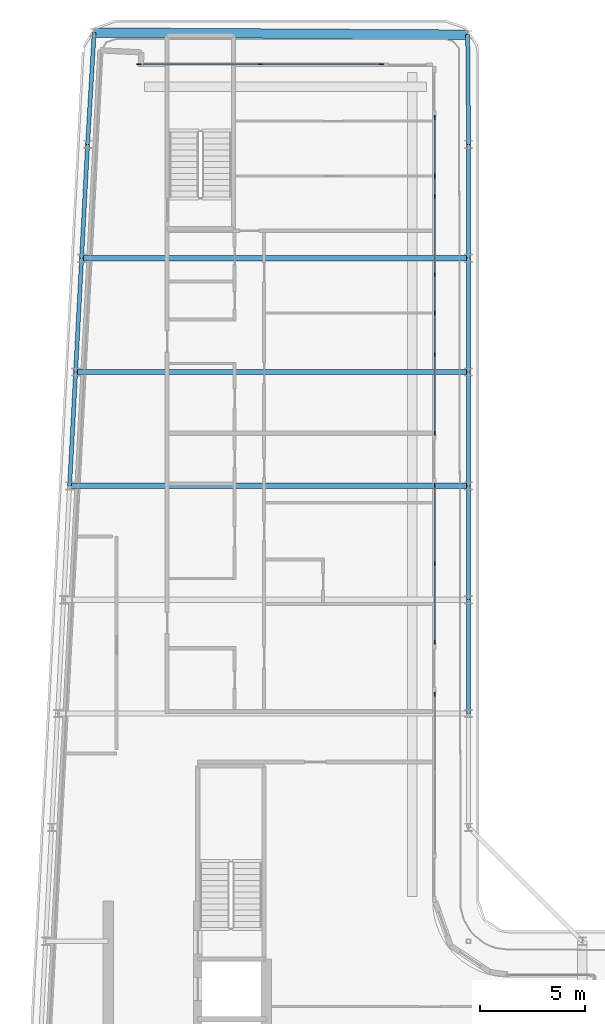
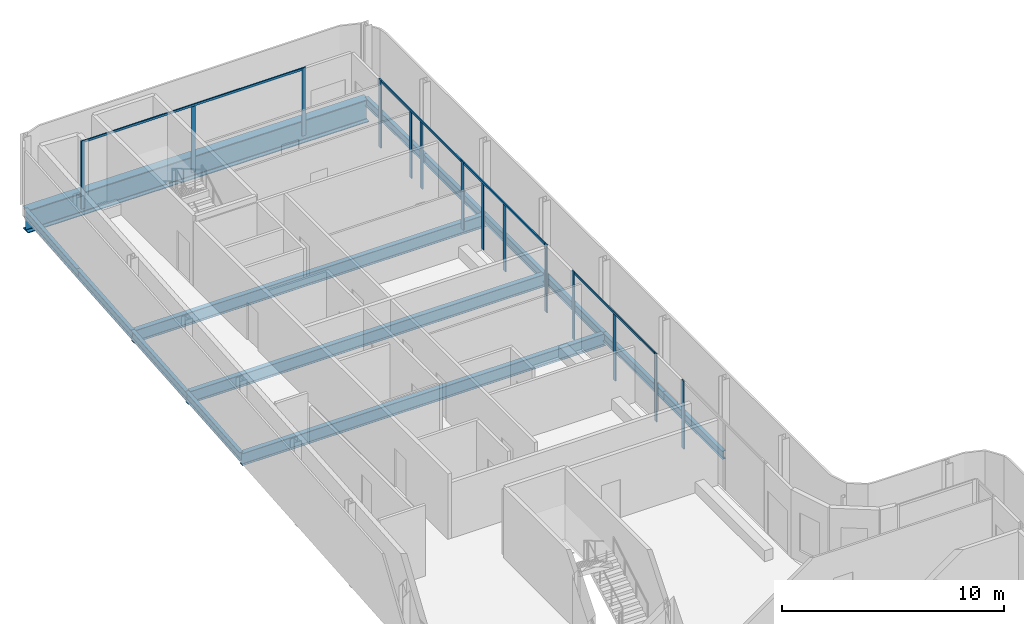
# One storey, part 6 of 17: 18 members, 14 beams, 5 elements without a shape of their own.
"""IFC4 building model written with IfcOpenShell, lengths in metres."""

import ifcopenshell
import ifcopenshell.guid

model = None  # the IFC model being written
_history = None  # IfcOwnerHistory: only IFC2X3 demands one
_inside = {}  # id of a spatial element -> (the spatial element, [elements in it])
_under = {}  # id of a project, library or spatial element -> (it, [spatial elements below it])
_declared = {}  # id of a project -> (the project, [libraries it declares])
_typed = {}  # id of a type object -> (the type object, [elements of that type])
_made_of = {}  # id of a material, layer set ... -> (it, [elements and type objects made of it])


def new_model(schema):
    """Start an empty IFC model of exactly this schema.

    Asked for "IFC4X3", IfcOpenShell would pick the latest addendum, in which some entities
    have other attributes; the version numbers below select the first issue.
    IFC2X3 requires an IfcOwnerHistory on every rooted entity: one is made here for all.
    """
    global model, _history
    if schema == "IFC4X3":
        model = ifcopenshell.file(schema_version=(4, 3, 0, 0))
    else:
        model = ifcopenshell.file(schema=schema)
    _inside.clear()
    _under.clear()
    _declared.clear()
    _typed.clear()
    _made_of.clear()
    _history = None
    if model.schema == "IFC2X3":
        org = make("IfcOrganization", Name="unknown")
        user = make(
            "IfcPersonAndOrganization",
            ThePerson=make("IfcPerson", FamilyName="unknown"),
            TheOrganization=org,
        )
        app = make(
            "IfcApplication",
            ApplicationDeveloper=org,
            Version="unknown",
            ApplicationFullName="unknown",
            ApplicationIdentifier="unknown",
        )
        _history = make(
            "IfcOwnerHistory",
            OwningUser=user,
            OwningApplication=app,
            ChangeAction="ADDED",
            CreationDate=0,
        )
    return model


def make(cls, **values):
    """One entity of the class cls with the attributes given. An attribute that is None is left unset."""
    return model.create_entity(
        cls, **{name: value for name, value in values.items() if value is not None}
    )


def rooted(cls, **values):
    """An entity with a GlobalId (a new one), such as an element, a storey or a relation."""
    return make(cls, GlobalId=ifcopenshell.guid.new(), OwnerHistory=_history, **values)


def si_unit(unit_type, name, prefix=None):
    """IfcSIUnit, for example si_unit("LENGTHUNIT", "METRE", prefix="MILLI")."""
    return make("IfcSIUnit", UnitType=unit_type, Prefix=prefix, Name=name)


def assignment(units):
    """IfcUnitAssignment: the units of a project."""
    return None if units is None else make("IfcUnitAssignment", Units=units)


def point(xyz):
    """IfcCartesianPoint."""
    return None if xyz is None else make("IfcCartesianPoint", Coordinates=xyz)


def direction(xyz):
    """IfcDirection."""
    return None if xyz is None else make("IfcDirection", DirectionRatios=xyz)


def frame(location, z_axis=None, x_axis=None):
    """IfcAxis2Placement3D, a coordinate frame: its origin and axes. An axis left out is left unset."""
    return make(
        "IfcAxis2Placement3D",
        Location=point(location),
        Axis=direction(z_axis),
        RefDirection=direction(x_axis),
    )


def frame_2d(location, x_axis=None):
    """IfcAxis2Placement2D, a coordinate frame in the plane: its origin and x axis."""
    return make(
        "IfcAxis2Placement2D", Location=point(location), RefDirection=direction(x_axis)
    )


def origin():
    """The frame at (0, 0, 0) with its axes left unset."""
    return frame((0.0, 0.0, 0.0))


def origin_2d():
    """The frame at (0, 0) in the plane with its x axis left unset."""
    return frame_2d((0.0, 0.0))


def place(relative_to, where):
    """IfcLocalPlacement: puts the frame where relative to a parent placement (None: the world)."""
    return make(
        "IfcLocalPlacement", PlacementRelTo=relative_to, RelativePlacement=where
    )


def context(
    kind, dimensions, precision=None, world=None, true_north=None, identifier=None
):
    """IfcGeometricRepresentationContext, for example the 3D "Model" context."""
    return make(
        "IfcGeometricRepresentationContext",
        ContextIdentifier=identifier,
        ContextType=kind,
        CoordinateSpaceDimension=dimensions,
        Precision=precision,
        WorldCoordinateSystem=world,
        TrueNorth=true_north,
    )


def subcontext(parent, identifier, kind, view, scale=None):
    """IfcGeometricRepresentationSubContext, for example "Body" below "Model"."""
    return make(
        "IfcGeometricRepresentationSubContext",
        ContextIdentifier=identifier,
        ContextType=kind,
        ParentContext=parent,
        TargetScale=scale,
        TargetView=view,
    )


def project(units=None, contexts=None):
    """IfcProject with its units and contexts."""
    return rooted(
        "IfcProject",
        Name="project",
        RepresentationContexts=contexts,
        UnitsInContext=assignment(units),
    )


def spatial(cls, under=None, at=None, **own):
    """A site, building, storey or space (cls), placed at a placement, below another one or the project."""
    s = rooted(cls, ObjectPlacement=at, **own)
    if under is not None:
        _under.setdefault(under.id(), (under, []))[1].append(s)
    return s


def profile(cls, at=None, kind="AREA", **sizes):
    """A parametric profile (cls). Its sizes go by their IFC names, for example OverallWidth=200.0."""
    return make(cls, ProfileType=kind, Position=at, **sizes)


def rectangle(**sizes):
    """IfcRectangleProfileDef."""
    return profile("IfcRectangleProfileDef", **sizes)


def i_section(**sizes):
    """IfcIShapeProfileDef."""
    return profile("IfcIShapeProfileDef", **sizes)


def extrude(swept, where, along, depth):
    """IfcExtrudedAreaSolid: the profile swept, set in the frame where, extruded along a direction by depth."""
    return make(
        "IfcExtrudedAreaSolid",
        SweptArea=swept,
        Position=where,
        ExtrudedDirection=direction(along),
        Depth=depth,
    )


def shape(context_of_items, identifier, shape_type, items):
    """IfcShapeRepresentation: the items that make up one representation, for example the "Body"."""
    return make(
        "IfcShapeRepresentation",
        ContextOfItems=context_of_items,
        RepresentationIdentifier=identifier,
        RepresentationType=shape_type,
        Items=items,
    )


def material(Name=None, Category=None):
    """IfcMaterial."""
    return make("IfcMaterial", Name=Name, Category=Category)


def layer(
    of_material, thickness, ventilated=None, Name=None, Category=None, Priority=None
):
    """IfcMaterialLayer: one layer of a wall or slab, of a material (None: an air gap)."""
    return make(
        "IfcMaterialLayer",
        Material=of_material,
        LayerThickness=thickness,
        IsVentilated=ventilated,
        Name=Name,
        Category=Category,
        Priority=Priority,
    )


def layer_set(layers, Name=None):
    """IfcMaterialLayerSet."""
    return make("IfcMaterialLayerSet", MaterialLayers=layers, LayerSetName=Name)


def material_profile(
    of_material, cross_section, Name=None, Category=None, Priority=None
):
    """IfcMaterialProfile: a cross section and its material."""
    return make(
        "IfcMaterialProfile",
        Name=Name,
        Material=of_material,
        Profile=cross_section,
        Priority=Priority,
        Category=Category,
    )


def profile_set(profiles, Name=None, composite=None):
    """IfcMaterialProfileSet."""
    return make(
        "IfcMaterialProfileSet",
        Name=Name,
        MaterialProfiles=profiles,
        CompositeProfile=composite,
    )


def made_of(thing, what):
    """Note that an element or type object is made of a material, layer set ...; save() writes the relation."""
    if what is not None:
        _made_of.setdefault(what.id(), (what, []))[1].append(thing)
    return thing


def type_object(cls, material=None, **own):
    """A type object (cls), such as IfcWallType, which elements share."""
    return made_of(rooted(cls, **own), material)


def element(
    cls,
    number,
    at=None,
    inside=None,
    cuts=None,
    type_object=None,
    material=None,
    context=None,
    identifier="Body",
    shape_type=None,
    held_by="IfcProductDefinitionShape",
    body=None,
    shapes=None,
    **own,
):
    """One element of the class cls, such as IfcWall. Its Tag is "e" and its number.

    at: its placement. inside: the storey or other place that contains it. cuts: it is an
    opening in that element (IfcRelVoidsElement). A single representation is given by context,
    identifier, shape_type and body (its items); several are given by shapes. held_by: the class
    of the entity that holds the representations. save() writes the other relations.
    """
    e = rooted(cls, Tag="e%d" % number, ObjectPlacement=at, **own)
    if body is not None:
        shapes = [shape(context, identifier, shape_type, body)]
    if shapes is not None:
        e.Representation = make(held_by, Representations=shapes)
    if inside is not None:
        _inside.setdefault(inside.id(), (inside, []))[1].append(e)
    if cuts is not None:
        rooted(
            "IfcRelVoidsElement", RelatingBuildingElement=cuts, RelatedOpeningElement=e
        )
    if type_object is not None:
        _typed.setdefault(type_object.id(), (type_object, []))[1].append(e)
    return made_of(e, material)


def aggregate(whole, parts):
    """IfcRelAggregates: a whole, such as a stair, and the parts it consists of."""
    return rooted("IfcRelAggregates", RelatingObject=whole, RelatedObjects=parts)


def save(model, path):
    """Write the relations noted so far, then the file.

    IfcRelAggregates (storeys below a building ...), IfcRelContainedInSpatialStructure (elements
    in a storey), IfcRelDefinesByType, IfcRelAssociatesMaterial and IfcRelDeclares: one each for
    every whole, place, type object, material and project.
    """
    for whole, parts in _under.values():
        aggregate(whole, parts)
    for where, things in _inside.values():
        rooted(
            "IfcRelContainedInSpatialStructure",
            RelatedElements=things,
            RelatingStructure=where,
        )
    for kind, things in _typed.values():
        rooted("IfcRelDefinesByType", RelatedObjects=things, RelatingType=kind)
    for what, things in _made_of.values():
        rooted("IfcRelAssociatesMaterial", RelatedObjects=things, RelatingMaterial=what)
    for by, libraries in _declared.values():
        rooted("IfcRelDeclares", RelatingContext=by, RelatedDefinitions=libraries)
    model.write(path)


model = new_model("IFC4")

# Units and contexts
model_context = context("Model", 3, precision=1e-05, world=origin(), true_north=direction((0.0, 1.0)))
body_context = subcontext(model_context, "Body", "Model", "MODEL_VIEW")
ifc_project = project(units=[si_unit("LENGTHUNIT", "METRE"), si_unit("AREAUNIT", "SQUARE_METRE"), si_unit("VOLUMEUNIT", "CUBIC_METRE"), si_unit("PLANEANGLEUNIT", "RADIAN"), si_unit("MASSUNIT", "GRAM", prefix="KILO")], contexts=[model_context])

# Site, building, storey
site_placement = place(None, origin())
site = spatial("IfcSite", under=ifc_project, at=site_placement, CompositionType="ELEMENT")
building_placement = place(site_placement, origin())
building = spatial("IfcBuilding", under=site, at=building_placement, Name="Kheshtan School and Residences Tower", CompositionType="ELEMENT")
storey_placement = place(building_placement, frame((0.0, 0.0, 342.199951171875)))
storey = spatial("IfcBuildingStorey", under=building, at=storey_placement, Name="L80", CompositionType="ELEMENT", Elevation=342.199951171875)

# Beams
ifc_material_1 = material(Name="Steel ASTM A992 Grade 50", Category="steel")
ifc_material_profile_1 = material_profile(ifc_material_1, i_section(OverallWidth=0.2529296875, OverallDepth=0.677978515625, WebThickness=0.01171875, FlangeThickness=0.016357421875, FilletRadius=0.0146484375, at=origin_2d()), Name="W690x125")
ifc_profile_set_1 = profile_set([ifc_material_profile_1], Name="Steel ASTM A992 Grade 50")
beam_type_1 = type_object("IfcBeamType", Name="Beam FB6 W690x125 ASTM A992 Grade 50", PredefinedType="BEAM", material=ifc_profile_set_1)
beam_1_placement = place(storey_placement, frame((47.60009765625, 72.60009765625, -0.489013671875), z_axis=(-1.0, 0.0, 0.0), x_axis=(0.0, -1.0, 0.0)))
element("IfcBeam", 1, at=beam_1_placement, inside=storey, type_object=beam_type_1, Name="Floor beam C087", PredefinedType="BEAM", context=body_context, shape_type="SweptSolid", body=[
    extrude(i_section(OverallWidth=0.2529296875, OverallDepth=0.677978515625, WebThickness=0.01171875, FlangeThickness=0.016357421875, FilletRadius=0.0146484375, at=origin_2d()), origin(), (0.0, 0.0, 1.0), 18.64208984375),
])
beam_2_placement = place(storey_placement, frame((28.674072265625, 67.199951171875, -0.489013671875), z_axis=(1.0, 0.0, 0.0), x_axis=(0.0, 1.0, 0.0)))
element("IfcBeam", 2, at=beam_2_placement, inside=storey, type_object=beam_type_1, Name="Floor beam C084", PredefinedType="BEAM", context=body_context, shape_type="SweptSolid", body=[
    extrude(i_section(OverallWidth=0.2529296875, OverallDepth=0.677978515625, WebThickness=0.01171875, FlangeThickness=0.016357421875, FilletRadius=0.0146484375, at=origin_2d()), origin(), (0.0, 0.0, 1.0), 18.926025390625),
])
beam_3_placement = place(storey_placement, frame((29.242919921875, 78.0, -0.489013671875), z_axis=(1.0, 0.0, 0.0), x_axis=(0.0, 1.0, 0.0)))
element("IfcBeam", 3, at=beam_3_placement, inside=storey, type_object=beam_type_1, Name="Floor beam C088", PredefinedType="BEAM", context=body_context, shape_type="SweptSolid", body=[
    extrude(i_section(OverallWidth=0.2529296875, OverallDepth=0.677978515625, WebThickness=0.01171875, FlangeThickness=0.016357421875, FilletRadius=0.0146484375, at=origin_2d()), origin(), (0.0, 0.0, 1.0), 18.357177734375),
])
ifc_material_profile_2 = material_profile(ifc_material_1, i_section(OverallWidth=0.18994140625, OverallDepth=0.45703125, WebThickness=0.009033203125, FlangeThickness=0.014404296875, FilletRadius=0.01318359375, at=origin_2d()), Name="W460x74")
ifc_profile_set_2 = profile_set([ifc_material_profile_2], Name="Steel ASTM A992 Grade 50")
beam_type_2 = type_object("IfcBeamType", Name="Beam SP4 W460x74 ASTM A992 Grade 50", PredefinedType="BEAM", material=ifc_profile_set_2)
beam_4_placement = place(storey_placement, frame((47.555908203125, 88.60498046875, -0.37841796875), z_axis=(0.008489375122, -0.999963964606, 0.0), x_axis=(0.999963964606, 0.008489375122, 0.0)))
element("IfcBeam", 4, at=beam_4_placement, inside=storey, type_object=beam_type_2, Name="Spandrel beam C094-C091", PredefinedType="BEAM", context=body_context, shape_type="SweptSolid", body=[
    extrude(i_section(OverallWidth=0.18994140625, OverallDepth=0.45703125, WebThickness=0.009033203125, FlangeThickness=0.014404296875, FilletRadius=0.01318359375, at=origin_2d()), origin(), (0.0, 0.0, 1.0), 5.205322265625),
])
for number, where, z_axis, x_axis, name in (
    (5, (47.60009765625, 83.39990234375, -0.37841796875), (0.0, -1.0, 0.0), (1.0, 0.0, 0.0), "Spandrel beam C091-C089"),
    (6, (47.60009765625, 78.0, -0.37841796875), (0.0, -1.0, 0.0), (1.0, 0.0, 0.0), "Spandrel beam C089-C087"),
):
    element("IfcBeam", number, at=place(storey_placement, frame(where, z_axis=z_axis, x_axis=x_axis)), inside=storey, type_object=beam_type_2, Name=name, PredefinedType="BEAM", context=body_context, shape_type="SweptSolid", body=[
        extrude(i_section(OverallWidth=0.18994140625, OverallDepth=0.45703125, WebThickness=0.009033203125, FlangeThickness=0.014404296875, FilletRadius=0.01318359375, at=origin_2d()), origin(), (0.0, 0.0, 1.0), 5.39990234375),
    ])
beam_5_placement = place(storey_placement, frame((47.60009765625, 72.60009765625, -0.37841796875), z_axis=(0.0, -1.0, 0.0), x_axis=(1.0, 0.0, 0.0)))
element("IfcBeam", 7, at=beam_5_placement, inside=storey, type_object=beam_type_2, Name="Spandrel beam C087-C085", PredefinedType="BEAM", context=body_context, shape_type="SweptSolid", body=[
    extrude(i_section(OverallWidth=0.18994140625, OverallDepth=0.45703125, WebThickness=0.009033203125, FlangeThickness=0.014404296875, FilletRadius=0.01318359375, at=origin_2d()), origin(), (0.0, 0.0, 1.0), 5.400146484375),
])
beam_6_placement = place(storey_placement, frame((47.60009765625, 67.199951171875, -0.37841796875), z_axis=(0.0, -1.0, 0.0), x_axis=(1.0, 0.0, 0.0)))
element("IfcBeam", 8, at=beam_6_placement, inside=storey, type_object=beam_type_2, Name="Spandrel beam C085-C083", PredefinedType="BEAM", context=body_context, shape_type="SweptSolid", body=[
    extrude(i_section(OverallWidth=0.18994140625, OverallDepth=0.45703125, WebThickness=0.009033203125, FlangeThickness=0.014404296875, FilletRadius=0.01318359375, at=origin_2d()), origin(), (0.0, 0.0, 1.0), 5.39990234375),
])
beam_7_placement = place(storey_placement, frame((47.60009765625, 61.800048828125, -0.37841796875), z_axis=(0.0, -1.0, 0.0), x_axis=(1.0, 0.0, 0.0)))
element("IfcBeam", 9, at=beam_7_placement, inside=storey, type_object=beam_type_2, Name="Spandrel beam C083-C081", PredefinedType="BEAM", context=body_context, shape_type="SweptSolid", body=[
    extrude(i_section(OverallWidth=0.18994140625, OverallDepth=0.45703125, WebThickness=0.009033203125, FlangeThickness=0.014404296875, FilletRadius=0.01318359375, at=origin_2d()), origin(), (0.0, 0.0, 1.0), 5.400146484375),
])
beam_8_placement = place(storey_placement, frame((28.674072265625, 67.199951171875, -0.37841796875), z_axis=(0.05250670125, 0.998620571751, 0.0), x_axis=(-0.998620571751, 0.05250670125, 0.0)))
element("IfcBeam", 10, at=beam_8_placement, inside=storey, type_object=beam_type_2, Name="Spandrel beam C084-C086", PredefinedType="BEAM", context=body_context, shape_type="SweptSolid", body=[
    extrude(i_section(OverallWidth=0.18994140625, OverallDepth=0.45703125, WebThickness=0.009033203125, FlangeThickness=0.014404296875, FilletRadius=0.01318359375, at=origin_2d()), origin(), (0.0, 0.0, 1.0), 5.40771484375),
])
for number, where, z_axis, x_axis, name in (
    (11, (28.9580078125, 72.60009765625, -0.37841796875), (0.052689166816, 0.998610961136, 0.0), (-0.998610961136, 0.052689166816, 0.0), "Spandrel beam C086-C088"),
    (12, (29.242919921875, 78.0, -0.37841796875), (0.052554093665, 0.998618078766, 0.0), (-0.998618078766, 0.052554093665, 0.0), "Spandrel beam C088-C090"),
):
    element("IfcBeam", number, at=place(storey_placement, frame(where, z_axis=z_axis, x_axis=x_axis)), inside=storey, type_object=beam_type_2, Name=name, PredefinedType="BEAM", context=body_context, shape_type="SweptSolid", body=[
        extrude(i_section(OverallWidth=0.18994140625, OverallDepth=0.45703125, WebThickness=0.009033203125, FlangeThickness=0.014404296875, FilletRadius=0.01318359375, at=origin_2d()), origin(), (0.0, 0.0, 1.0), 5.407470703125),
    ])
beam_9_placement = place(storey_placement, frame((29.527099609375, 83.39990234375, -0.37841796875), z_axis=(0.058309897593, 0.998298530422, 0.0), x_axis=(-0.998298530422, 0.058309897593, 0.0)))
element("IfcBeam", 13, at=beam_9_placement, inside=storey, type_object=beam_type_2, Name="Spandrel beam C090-C095", PredefinedType="BEAM", context=body_context, shape_type="SweptSolid", body=[
    extrude(i_section(OverallWidth=0.18994140625, OverallDepth=0.45703125, WebThickness=0.009033203125, FlangeThickness=0.014404296875, FilletRadius=0.01318359375, at=origin_2d()), origin(), (0.0, 0.0, 1.0), 5.313232421875),
])

# Curtain wall, members
ifc_material_2 = material(Name="Clear low-e glass in thermally broken aluminium frame", Category="aluminium")
ifc_layer = layer(ifc_material_2, 0.199951171875)
ifc_layer_set = layer_set([ifc_layer], Name="Curtain wall CW-L")
curtain_wall_type = type_object("IfcCurtainWallType", Name="Curtain wall CW-L", PredefinedType="NOTDEFINED", material=ifc_layer_set)
curtain_wall_1_placement = place(storey_placement, origin())
curtain_wall_1 = element("IfcCurtainWall", 14, at=curtain_wall_1_placement, inside=storey, type_object=curtain_wall_type, Name="Curtain wall CWL3", PredefinedType="NOTDEFINED")
ifc_material_3 = material(Name="Thermally broken aluminium, dark bronze anodised", Category="aluminium")
ifc_material_profile_3 = material_profile(ifc_material_3, rectangle(XDim=0.06005859375, YDim=0.199951171875, at=origin_2d()), Name="CW-L mullion 60x200")
ifc_profile_set_3 = profile_set([ifc_material_profile_3], Name="Thermally broken aluminium, dark bronze anodised")
member_type_1 = type_object("IfcMemberType", Name="CW-L mullion 60x200", PredefinedType="MULLION", material=ifc_profile_set_3)
member_1_placement = place(storey_placement, frame((31.9541015625, 87.199951171875, 0.0), z_axis=(0.0, 0.0, 1.0), x_axis=(0.0, 1.0, 0.0)))
member_1 = element("IfcMember", 15, at=member_1_placement, type_object=member_type_1, Name="CWL3 mullion 1", PredefinedType="MULLION", context=body_context, shape_type="SweptSolid", body=[
    extrude(rectangle(XDim=0.06005859375, YDim=0.199951171875, at=origin_2d()), origin(), (0.0, 0.0, 1.0), 3.75),
])
member_2_placement = place(storey_placement, frame((37.7119140625, 87.199951171875, 0.0), z_axis=(0.0, 0.0, 1.0), x_axis=(0.0, 1.0, 0.0)))
member_2 = element("IfcMember", 16, at=member_2_placement, type_object=member_type_1, Name="CWL3 mullion 2", PredefinedType="MULLION", context=body_context, shape_type="SweptSolid", body=[
    extrude(rectangle(XDim=0.06005859375, YDim=0.199951171875, at=origin_2d()), origin(), (0.0, 0.0, 1.0), 3.630126953125),
])
member_3_placement = place(storey_placement, frame((43.469970703125, 87.199951171875, 0.0), z_axis=(0.0, 0.0, 1.0), x_axis=(0.0, 1.0, 0.0)))
member_3 = element("IfcMember", 17, at=member_3_placement, type_object=member_type_1, Name="CWL3 mullion 3", PredefinedType="MULLION", context=body_context, shape_type="SweptSolid", body=[
    extrude(rectangle(XDim=0.06005859375, YDim=0.199951171875, at=origin_2d()), origin(), (0.0, 0.0, 1.0), 3.75),
])

curtain_wall_2_placement = place(storey_placement, origin())
curtain_wall_2 = element("IfcCurtainWall", 18, at=curtain_wall_2_placement, inside=storey, type_object=curtain_wall_type, Name="Curtain wall CWL4", PredefinedType="NOTDEFINED")
member_4_placement = place(storey_placement, frame((46.0, 84.669921875, 0.0), z_axis=(0.0, 0.0, 1.0), x_axis=(1.0, 0.0, 0.0)))
member_4 = element("IfcMember", 19, at=member_4_placement, type_object=member_type_1, Name="CWL4 mullion 1", PredefinedType="MULLION", context=body_context, shape_type="SweptSolid", body=[
    extrude(rectangle(XDim=0.06005859375, YDim=0.199951171875, at=origin_2d()), origin(), (0.0, 0.0, 1.0), 3.75),
])
member_5_placement = place(storey_placement, frame((46.0, 81.89990234375, 0.0), z_axis=(0.0, 0.0, 1.0), x_axis=(1.0, 0.0, 0.0)))
member_5 = element("IfcMember", 20, at=member_5_placement, type_object=member_type_1, Name="CWL4 mullion 2", PredefinedType="MULLION", context=body_context, shape_type="SweptSolid", body=[
    extrude(rectangle(XDim=0.06005859375, YDim=0.199951171875, at=origin_2d()), origin(), (0.0, 0.0, 1.0), 3.630126953125),
])
member_6_placement = place(storey_placement, frame((46.0, 80.941162109375, 0.0), z_axis=(0.0, 0.0, 1.0), x_axis=(1.0, 0.0, 0.0)))
member_6 = element("IfcMember", 21, at=member_6_placement, type_object=member_type_1, Name="CWL4 mullion 3", PredefinedType="MULLION", context=body_context, shape_type="SweptSolid", body=[
    extrude(rectangle(XDim=0.06005859375, YDim=0.199951171875, at=origin_2d()), origin(), (0.0, 0.0, 1.0), 3.630126953125),
])
member_7_placement = place(storey_placement, frame((46.0, 77.21240234375, 0.0), z_axis=(0.0, 0.0, 1.0), x_axis=(1.0, 0.0, 0.0)))
member_7 = element("IfcMember", 22, at=member_7_placement, type_object=member_type_1, Name="CWL4 mullion 4", PredefinedType="MULLION", context=body_context, shape_type="SweptSolid", body=[
    extrude(rectangle(XDim=0.06005859375, YDim=0.199951171875, at=origin_2d()), origin(), (0.0, 0.0, 1.0), 3.75),
])

curtain_wall_3_placement = place(storey_placement, origin())
curtain_wall_3 = element("IfcCurtainWall", 23, at=curtain_wall_3_placement, inside=storey, type_object=curtain_wall_type, Name="Curtain wall CWL4", PredefinedType="NOTDEFINED")
member_8_placement = place(storey_placement, frame((46.0, 75.39990234375, 0.0), z_axis=(0.0, 0.0, 1.0), x_axis=(1.0, 0.0, 0.0)))
member_8 = element("IfcMember", 24, at=member_8_placement, type_object=member_type_1, Name="CWL4 mullion 2", PredefinedType="MULLION", context=body_context, shape_type="SweptSolid", body=[
    extrude(rectangle(XDim=0.06005859375, YDim=0.199951171875, at=origin_2d()), origin(), (0.0, 0.0, 1.0), 3.630126953125),
])
member_9_placement = place(storey_placement, frame((46.0, 73.423828125, 0.0), z_axis=(0.0, 0.0, 1.0), x_axis=(1.0, 0.0, 0.0)))
member_9 = element("IfcMember", 25, at=member_9_placement, type_object=member_type_1, Name="CWL4 mullion 3", PredefinedType="MULLION", context=body_context, shape_type="SweptSolid", body=[
    extrude(rectangle(XDim=0.06005859375, YDim=0.199951171875, at=origin_2d()), origin(), (0.0, 0.0, 1.0), 3.630126953125),
])
member_10_placement = place(storey_placement, frame((46.0, 69.695068359375, 0.0), z_axis=(0.0, 0.0, 1.0), x_axis=(1.0, 0.0, 0.0)))
member_10 = element("IfcMember", 26, at=member_10_placement, type_object=member_type_1, Name="CWL4 mullion 4", PredefinedType="MULLION", context=body_context, shape_type="SweptSolid", body=[
    extrude(rectangle(XDim=0.06005859375, YDim=0.199951171875, at=origin_2d()), origin(), (0.0, 0.0, 1.0), 3.75),
])

curtain_wall_4_placement = place(storey_placement, origin())
curtain_wall_4 = element("IfcCurtainWall", 27, at=curtain_wall_4_placement, inside=storey, type_object=curtain_wall_type, Name="Curtain wall CWL4a", PredefinedType="NOTDEFINED")
member_11_placement = place(storey_placement, frame((46.0, 67.235107421875, 0.0), z_axis=(0.0, 0.0, 1.0), x_axis=(1.0, 0.0, 0.0)))
member_11 = element("IfcMember", 28, at=member_11_placement, type_object=member_type_1, Name="CWL4a mullion 1", PredefinedType="MULLION", context=body_context, shape_type="SweptSolid", body=[
    extrude(rectangle(XDim=0.06005859375, YDim=0.199951171875, at=origin_2d()), origin(), (0.0, 0.0, 1.0), 3.75),
])
member_12_placement = place(storey_placement, frame((46.0, 63.50634765625, 0.0), z_axis=(0.0, 0.0, 1.0), x_axis=(1.0, 0.0, 0.0)))
member_12 = element("IfcMember", 29, at=member_12_placement, type_object=member_type_1, Name="CWL4a mullion 2", PredefinedType="MULLION", context=body_context, shape_type="SweptSolid", body=[
    extrude(rectangle(XDim=0.06005859375, YDim=0.199951171875, at=origin_2d()), origin(), (0.0, 0.0, 1.0), 3.630126953125),
])
member_13_placement = place(storey_placement, frame((46.0, 59.777587890625, 0.0), z_axis=(0.0, 0.0, 1.0), x_axis=(1.0, 0.0, 0.0)))
member_13 = element("IfcMember", 30, at=member_13_placement, type_object=member_type_1, Name="CWL4a mullion 3", PredefinedType="MULLION", context=body_context, shape_type="SweptSolid", body=[
    extrude(rectangle(XDim=0.06005859375, YDim=0.199951171875, at=origin_2d()), origin(), (0.0, 0.0, 1.0), 3.75),
])

# Curtain wall, member
curtain_wall_5_placement = place(storey_placement, origin())
curtain_wall_5 = element("IfcCurtainWall", 31, at=curtain_wall_5_placement, inside=storey, type_object=curtain_wall_type, Name="Curtain wall CWL4a", PredefinedType="NOTDEFINED")
member_14_placement = place(storey_placement, frame((46.0, 57.3173828125, 0.0), z_axis=(0.0, 0.0, 1.0), x_axis=(1.0, 0.0, 0.0)))
member_14 = element("IfcMember", 32, at=member_14_placement, type_object=member_type_1, Name="CWL4a mullion 1", PredefinedType="MULLION", context=body_context, shape_type="SweptSolid", body=[
    extrude(rectangle(XDim=0.06005859375, YDim=0.199951171875, at=origin_2d()), origin(), (0.0, 0.0, 1.0), 3.75),
])
aggregate(curtain_wall_5, [member_14])

# Member
ifc_material_profile_4 = material_profile(ifc_material_3, rectangle(XDim=0.06005859375, YDim=0.1201171875, at=origin_2d()), Name="CW-L transom 60x120")
ifc_profile_set_4 = profile_set([ifc_material_profile_4], Name="Thermally broken aluminium, dark bronze anodised")
member_type_2 = type_object("IfcMemberType", Name="CW-L transom 60x120", PredefinedType="USERDEFINED", material=ifc_profile_set_4)
member_15_placement = place(storey_placement, frame((31.98388671875, 87.199951171875, 3.68994140625), z_axis=(1.0, 0.0, 0.0), x_axis=(0.0, 1.0, 0.0)))
member_15 = element("IfcMember", 33, at=member_15_placement, type_object=member_type_2, Name="CWL3 transom 1", ObjectType="TRANSOM", PredefinedType="USERDEFINED", context=body_context, shape_type="SweptSolid", body=[
    extrude(rectangle(XDim=0.06005859375, YDim=0.1201171875, at=origin_2d()), origin(), (0.0, 0.0, 1.0), 11.4560546875),
])

aggregate(curtain_wall_1, [member_1, member_2, member_3, member_15])

member_16_placement = place(storey_placement, frame((46.0, 84.639892578125, 3.68994140625), z_axis=(0.0, -1.0, 0.0), x_axis=(1.0, 0.0, 0.0)))
member_16 = element("IfcMember", 34, at=member_16_placement, type_object=member_type_2, Name="CWL4 transom 1", ObjectType="TRANSOM", PredefinedType="USERDEFINED", context=body_context, shape_type="SweptSolid", body=[
    extrude(rectangle(XDim=0.06005859375, YDim=0.1201171875, at=origin_2d()), origin(), (0.0, 0.0, 1.0), 7.3974609375),
])

aggregate(curtain_wall_2, [member_4, member_5, member_6, member_7, member_16])

member_17_placement = place(storey_placement, frame((46.0, 77.1826171875, 3.68994140625), z_axis=(0.0, -1.0, 0.0), x_axis=(1.0, 0.0, 0.0)))
member_17 = element("IfcMember", 35, at=member_17_placement, type_object=member_type_2, Name="CWL4 transom 1", ObjectType="TRANSOM", PredefinedType="USERDEFINED", context=body_context, shape_type="SweptSolid", body=[
    extrude(rectangle(XDim=0.06005859375, YDim=0.1201171875, at=origin_2d()), origin(), (0.0, 0.0, 1.0), 7.45751953125),
])

aggregate(curtain_wall_3, [member_8, member_9, member_10, member_17])

member_18_placement = place(storey_placement, frame((46.0, 67.205078125, 3.68994140625), z_axis=(0.0, -1.0, 0.0), x_axis=(1.0, 0.0, 0.0)))
member_18 = element("IfcMember", 36, at=member_18_placement, type_object=member_type_2, Name="CWL4a transom 1", ObjectType="TRANSOM", PredefinedType="USERDEFINED", context=body_context, shape_type="SweptSolid", body=[
    extrude(rectangle(XDim=0.06005859375, YDim=0.1201171875, at=origin_2d()), origin(), (0.0, 0.0, 1.0), 7.3974609375),
])

aggregate(curtain_wall_4, [member_11, member_12, member_13, member_18])

# Beam
ifc_material_profile_5 = material_profile(ifc_material_1, i_section(OverallWidth=0.449951171875, OverallDepth=1.25, WebThickness=0.02490234375, FlangeThickness=0.044921875, FilletRadius=0.03759765625, at=origin_2d()), Name="WWF1250x546")
ifc_profile_set_5 = profile_set([ifc_material_profile_5], Name="Steel ASTM A992 Grade 50")
beam_type_3 = type_object("IfcBeamType", Name="Transfer girder TG4 WWF1250x546 ASTM A992 Grade 50", PredefinedType="BEAM", material=ifc_profile_set_5)
beam_10_placement = place(storey_placement, frame((29.8369140625, 88.7041015625, -0.77490234375), z_axis=(0.999984353621, -0.005593971197, 0.0), x_axis=(0.005593971197, 0.999984353621, 0.0)))
element("IfcBeam", 37, at=beam_10_placement, inside=storey, type_object=beam_type_3, Name="Transfer girder C095-C094", PredefinedType="BEAM", context=body_context, shape_type="SweptSolid", body=[
    extrude(i_section(OverallWidth=0.449951171875, OverallDepth=1.25, WebThickness=0.02490234375, FlangeThickness=0.044921875, FilletRadius=0.03759765625, at=origin_2d()), origin(), (0.0, 0.0, 1.0), 17.71923828125),
])

save(model, "model.ifc")
